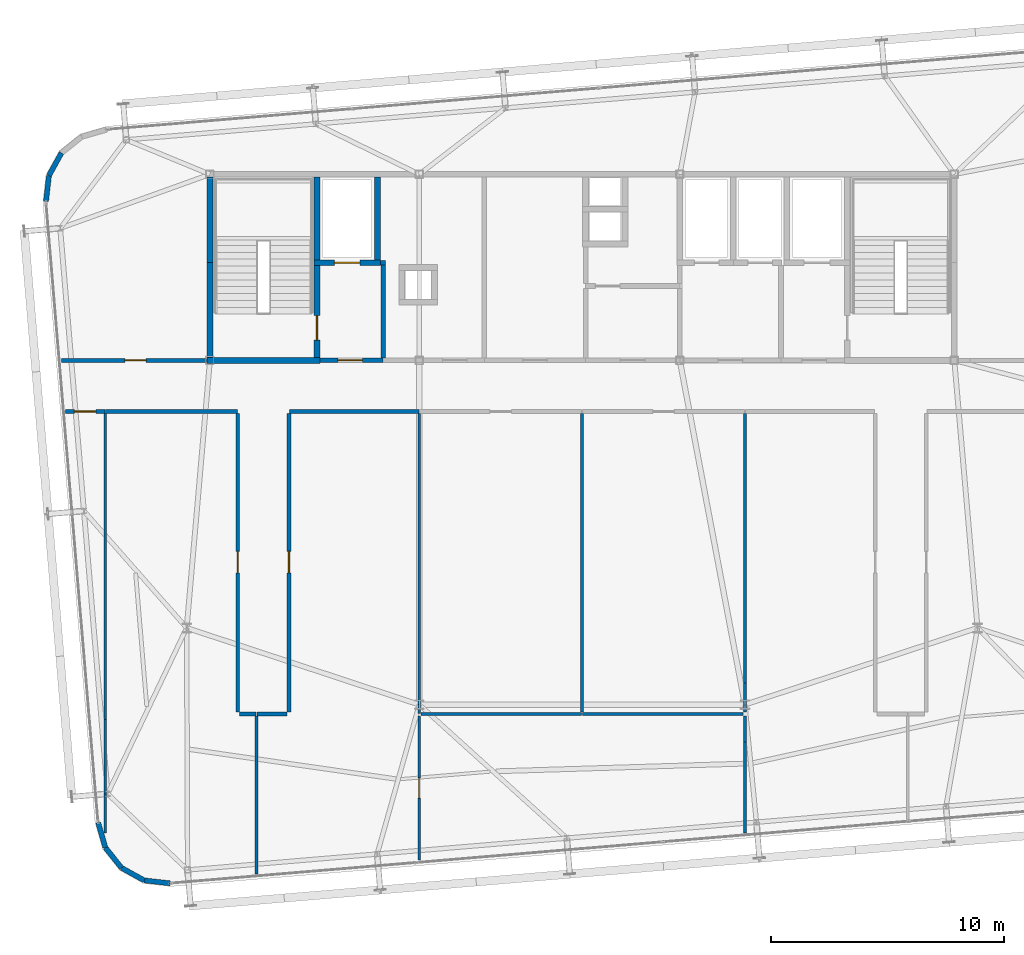
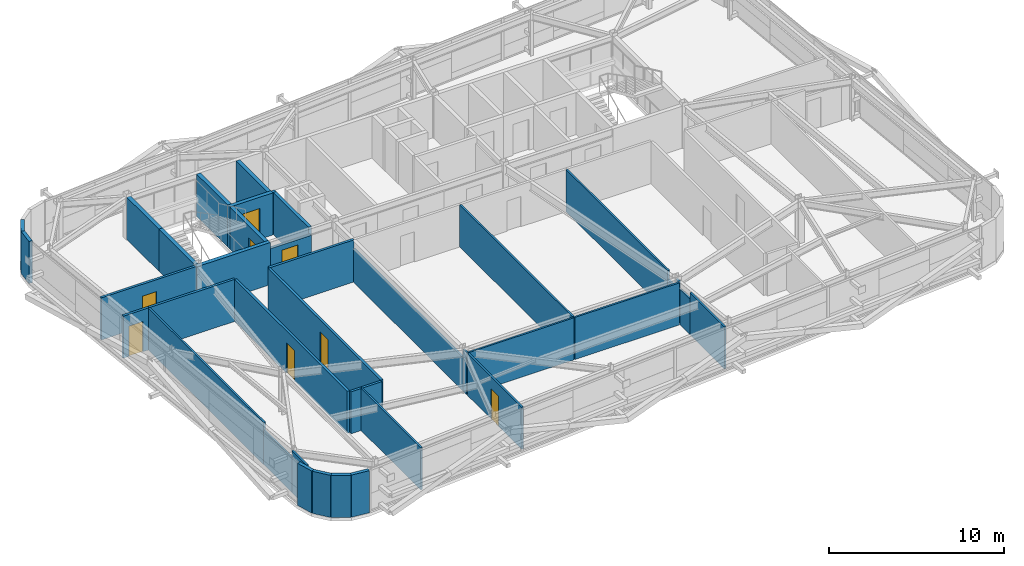
# One storey, part 33 of 37: 39 walls, 8 doors, 8 openings.
"""IFC4 building model written with IfcOpenShell, lengths in metres."""

from ifc_helpers import new_model, si_unit, direction, frame, frame_2d, origin, place, context, subcontext, project, spatial, rectangle, extrude, source, transform, mapped, material, layer, layer_set, type_object, element, fill, save


model = new_model("IFC4")

# Units and contexts
model_context = context("Model", 3, precision=1e-05, world=origin(), true_north=direction((0.0, 1.0)))
body_context = subcontext(model_context, "Body", "Model", "MODEL_VIEW")
ifc_project = project(units=[si_unit("LENGTHUNIT", "METRE"), si_unit("AREAUNIT", "SQUARE_METRE"), si_unit("VOLUMEUNIT", "CUBIC_METRE"), si_unit("PLANEANGLEUNIT", "RADIAN"), si_unit("MASSUNIT", "GRAM", prefix="KILO")], contexts=[model_context])

# Site, building, storey
site_placement = place(None, origin())
site = spatial("IfcSite", under=ifc_project, at=site_placement, CompositionType="ELEMENT")
building_placement = place(site_placement, origin())
building = spatial("IfcBuilding", under=site, at=building_placement, Name="Taldren Reach Tower", CompositionType="ELEMENT")
storey_placement = place(building_placement, frame((0.0, 0.0, 172.550048828125)))
storey = spatial("IfcBuildingStorey", under=building, at=storey_placement, Name="L52", CompositionType="ELEMENT", Elevation=172.550048828125)

# Walls
ifc_material_1 = material(Name="Pale Champagne Anodised Aluminium Cladding", Category="aluminium")
ifc_layer_1 = layer(ifc_material_1, 0.04, Name="Pale Champagne Anodised Aluminium Cladding", Category="aluminium")
ifc_material_2 = material(Name="Mineral Wool Acoustic Insulation", Category="insulation")
ifc_layer_2 = layer(ifc_material_2, 0.06, Name="Mineral Wool Acoustic Insulation", Category="insulation")
ifc_material_3 = material(Name="Steel Gr 350 (C350L0)", Category="steel")
ifc_layer_3 = layer(ifc_material_3, 0.12, Name="Steel Gr 350 (C350L0)", Category="steel")
ifc_layer_set_1 = layer_set([ifc_layer_1, ifc_layer_2, ifc_layer_3], Name="Pale Champagne Aluminium Cladding and Steel Gr 350 Stud Framing")
wall_type_1 = type_object("IfcWallType", Name="EW-CRN-220", PredefinedType="SOLIDWALL", material=ifc_layer_set_1)
shared_shape_1 = source(origin(), body_context, "Body", "SweptSolid", [
    extrude(rectangle(XDim=1.115966796875, YDim=0.219970703125, at=frame_2d((0.55810546875, 0.0))), origin(), (0.0, 0.0, 1.0), 2.929931640625),
])
for number, where, z_axis, x_axis, name in (
    (1, (12.618896484375, 32.9208984375, 0.0), (0.0, 0.0, 1.0), (-0.484100585842, -0.875012355791, 0.0), "Rounded-corner pale-metal facade wall L52-NW3"),
    (2, (12.07861328125, 31.9443359375, 0.0), (0.0, 0.0, 1.0), (-0.112232247342, -0.993682002784, 0.0), "Rounded-corner pale-metal facade wall L52-NW4"),
    (3, (14.19580078125, 4.129638671875, 0.0), (0.0, 0.0, 1.0), (0.276512002475, -0.961010464297, 0.0), "Rounded-corner pale-metal facade wall L52-SW1"),
    (4, (14.50439453125, 3.05712890625, 0.0), (0.0, 0.0, 1.0), (0.623092886403, -0.782147847222, 0.0), "Rounded-corner pale-metal facade wall L52-SW2"),
    (5, (15.19970703125, 2.184326171875, 0.0), (0.0, 0.0, 1.0), (0.875105012065, -0.483933071672, 0.0), "Rounded-corner pale-metal facade wall L52-SW3"),
    (6, (16.17626953125, 1.644287109375, 0.0), (0.0, 0.0, 1.0), (0.993657581277, -0.112448259968, 0.0), "Rounded-corner pale-metal facade wall L52-SW4"),
):
    element("IfcWall", number, at=place(storey_placement, frame(where, z_axis=z_axis, x_axis=x_axis)), inside=storey, type_object=wall_type_1, Name=name, PredefinedType="SOLIDWALL", context=body_context, shape_type="MappedRepresentation", body=[
        mapped(shared_shape_1, transform((0.0, 0.0, 0.0), scale=1.0)),
    ])
ifc_material_4 = material(Name="Fire-Rated Acoustic Plasterboard Stud Wall", Category="gypsum")
ifc_layer_4 = layer(ifc_material_4, 0.159912109375)
ifc_layer_set_2 = layer_set([ifc_layer_4], Name="Fire-Rated Acoustic Plasterboard Stud Wall")
wall_type_2 = type_object("IfcWallType", Name="IW-FIRE-160", PredefinedType="PARTITIONING", material=ifc_layer_set_2)
shared_shape_2 = source(origin(), body_context, "Body", "SweptSolid", [
    extrude(rectangle(XDim=1.2998046875, YDim=0.159912109375, at=frame_2d((0.64990234375, 0.0))), origin(), (0.0, 0.0, 1.0), 2.929931640625),
])
wall_1_placement = place(storey_placement, frame((22.320068359375, 8.800048828125, 0.0), z_axis=(0.0, 0.0, 1.0), x_axis=(-1.0, 0.0, 0.0)))
element("IfcWall", 7, at=wall_1_placement, inside=storey, type_object=wall_type_2, Name="Interior Partition Wall W-INT-L52-046", PredefinedType="PARTITIONING", context=body_context, shape_type="MappedRepresentation", body=[
    mapped(shared_shape_2, transform((0.0, 0.0, 0.0), scale=1.0)),
])
shared_shape_3 = source(origin(), body_context, "Body", "SweptSolid", [
    extrude(rectangle(XDim=0.69970703125, YDim=0.159912109375, at=frame_2d((0.349853515625, 0.0))), origin(), (0.0, 0.0, 1.0), 2.929931640625),
])
wall_2_placement = place(storey_placement, frame((20.979736328125, 8.800048828125, 0.0), z_axis=(0.0, 0.0, 1.0), x_axis=(-1.0, 0.0, 0.0)))
element("IfcWall", 8, at=wall_2_placement, inside=storey, type_object=wall_type_2, Name="Interior Partition Wall W-INT-L52-043", PredefinedType="PARTITIONING", context=body_context, shape_type="MappedRepresentation", body=[
    mapped(shared_shape_3, transform((0.0, 0.0, 0.0), scale=1.0)),
])
ifc_material_5 = material(Name="Concrete S50 (50 MPa)", Category="concrete")
ifc_layer_5 = layer(ifc_material_5, 0.199951171875)
ifc_layer_set_3 = layer_set([ifc_layer_5], Name="Concrete S50 (50 MPa)")
wall_type_3 = type_object("IfcWallType", Name="IW-CORE-200", PredefinedType="SOLIDWALL", material=ifc_layer_set_3)
shared_shape_4 = source(origin(), body_context, "Body", "SweptSolid", [
    extrude(rectangle(XDim=4.0, YDim=0.199951171875, at=frame_2d((2.0, 0.0))), origin(), (0.0, 0.0, 1.0), 2.929931640625),
])
wall_3_placement = place(storey_placement, frame((26.449951171875, 24.10009765625, 0.0), z_axis=(0.0, 0.0, 1.0), x_axis=(0.0, 1.0, 0.0)))
element("IfcWall", 9, at=wall_3_placement, inside=storey, type_object=wall_type_3, Name="Rear Core Shear Wall W-INT-L52-006", PredefinedType="SOLIDWALL", context=body_context, shape_type="MappedRepresentation", body=[
    mapped(shared_shape_4, transform((0.0, 0.0, 0.0), scale=1.0)),
])
ifc_material_6 = material(Name="Insulated Residential Stud Partition", Category="gypsum")
ifc_layer_6 = layer(ifc_material_6, 0.1201171875)
ifc_layer_set_4 = layer_set([ifc_layer_6], Name="Insulated Residential Stud Partition")
wall_type_4 = type_object("IfcWallType", Name="IW-PART-120", PredefinedType="PARTITIONING", material=ifc_layer_set_4)
shared_shape_5 = source(origin(), body_context, "Body", "SweptSolid", [
    extrude(rectangle(XDim=11.589599609375, YDim=0.1201171875, at=frame_2d((5.794921875, 0.0))), origin(), (0.0, 0.0, 1.0), 2.929931640625),
])
wall_4_placement = place(storey_placement, frame((42.0, 21.719970703125, 0.0), z_axis=(0.0, 0.0, 1.0), x_axis=(0.0, -1.0, 0.0)))
element("IfcWall", 10, at=wall_4_placement, inside=storey, type_object=wall_type_4, Name="Interior Partition Wall W-INT-L52-065", PredefinedType="PARTITIONING", context=body_context, shape_type="MappedRepresentation", body=[
    mapped(shared_shape_5, transform((0.0, 0.0, 0.0), scale=1.0)),
])
shared_shape_6 = source(origin(), body_context, "Body", "SweptSolid", [
    extrude(rectangle(XDim=0.941650390625, YDim=0.1201171875, at=frame_2d((0.470703125, 0.0))), origin(), (0.0, 0.0, 1.0), 2.327880859375),
])
wall_5_placement = place(storey_placement, frame((42.0, 10.13037109375, 0.0), z_axis=(0.0, 0.0, 1.0), x_axis=(0.0, -1.0, 0.0)))
element("IfcWall", 11, at=wall_5_placement, inside=storey, type_object=wall_type_4, Name="Interior Partition Wall W-INT-L52-065 part 2", PredefinedType="PARTITIONING", context=body_context, shape_type="MappedRepresentation", body=[
    mapped(shared_shape_6, transform((0.0, 0.0, 0.0), scale=1.0)),
])
shared_shape_7 = source(origin(), body_context, "Body", "SweptSolid", [
    extrude(rectangle(XDim=12.52001953125, YDim=0.1201171875, at=frame_2d((6.260009765625, 0.0))), origin(), (0.0, 0.0, 1.0), 2.327880859375),
])
wall_6_placement = place(storey_placement, frame((28.0, 21.719970703125, 0.0), z_axis=(0.0, 0.0, 1.0), x_axis=(0.0, -1.0, 0.0)))
element("IfcWall", 12, at=wall_6_placement, inside=storey, type_object=wall_type_4, Name="Interior Partition Wall W-INT-L52-063", PredefinedType="PARTITIONING", context=body_context, shape_type="MappedRepresentation", body=[
    mapped(shared_shape_7, transform((0.0, 0.0, 0.0), scale=1.0)),
])
ifc_material_7 = material(Name="Concrete S65 (65 MPa)", Category="concrete")
ifc_layer_7 = layer(ifc_material_7, 0.25)
ifc_layer_set_5 = layer_set([ifc_layer_7], Name="Concrete S65 (65 MPa)")
wall_type_5 = type_object("IfcWallType", Name="IW-CORE-250", PredefinedType="SHEAR", material=ifc_layer_set_5)
shared_shape_8 = source(origin(), body_context, "Body", "SweptSolid", [
    extrude(rectangle(XDim=4.074951171875, YDim=0.25, at=frame_2d((2.03759765625, 0.0))), origin(), (0.0, 0.0, 1.0), 2.929931640625),
])
wall_7_placement = place(storey_placement, frame((19.0, 24.125, 0.0), z_axis=(0.0, 0.0, 1.0), x_axis=(0.0, 1.0, 0.0)))
element("IfcWall", 13, at=wall_7_placement, inside=storey, type_object=wall_type_5, Name="Rear Core Shear Wall W-CORE-L52-WEST1", PredefinedType="SHEAR", context=body_context, shape_type="MappedRepresentation", body=[
    mapped(shared_shape_8, transform((0.0, 0.0, 0.0), scale=1.0)),
])
shared_shape_9 = source(origin(), body_context, "Body", "SweptSolid", [
    extrude(rectangle(XDim=3.675048828125, YDim=0.25, at=frame_2d((1.83740234375, 0.0))), origin(), (0.0, 0.0, 1.0), 2.929931640625),
])
wall_8_placement = place(storey_placement, frame((19.0, 28.199951171875, 0.0), z_axis=(0.0, 0.0, 1.0), x_axis=(0.0, 1.0, 0.0)))
element("IfcWall", 14, at=wall_8_placement, inside=storey, type_object=wall_type_5, Name="Rear Core Shear Wall W-CORE-L52-WEST2", PredefinedType="SHEAR", context=body_context, shape_type="MappedRepresentation", body=[
    mapped(shared_shape_9, transform((0.0, 0.0, 0.0), scale=1.0)),
])
shared_shape_10 = source(origin(), body_context, "Body", "SweptSolid", [
    extrude(rectangle(XDim=3.550048828125, YDim=0.25, at=frame_2d((1.77490234375, 0.0))), origin(), (0.0, 0.0, 1.0), 2.929931640625),
])
for number, where, z_axis, x_axis, name in (
    (15, (23.60009765625, 28.324951171875, 0.0), (0.0, 0.0, 1.0), (0.0, 1.0, 0.0), "Rear Core Shear Wall W-INT-L52-001"),
    (16, (26.199951171875, 28.324951171875, 0.0), (0.0, 0.0, 1.0), (0.0, 1.0, 0.0), "Rear Core Shear Wall W-INT-L52-005"),
):
    element("IfcWall", number, at=place(storey_placement, frame(where, z_axis=z_axis, x_axis=x_axis)), inside=storey, type_object=wall_type_5, Name=name, PredefinedType="SHEAR", context=body_context, shape_type="MappedRepresentation", body=[
        mapped(shared_shape_10, transform((0.0, 0.0, 0.0), scale=1.0)),
    ])

# Wall, opening, door
shared_shape_11 = source(origin(), body_context, "Body", "SweptSolid", [
    extrude(rectangle(XDim=3.949951171875, YDim=0.25, at=frame_2d((1.97509765625, 0.0))), origin(), (0.0, 0.0, 1.0), 2.929931640625),
])
wall_9_placement = place(storey_placement, frame((23.60009765625, 24.125, 0.0), z_axis=(0.0, 0.0, 1.0), x_axis=(0.0, 1.0, 0.0)))
wall_9 = element("IfcWall", 17, at=wall_9_placement, inside=storey, type_object=wall_type_5, Name="Rear Core Shear Wall W-INT-L52-002", PredefinedType="SHEAR", context=body_context, shape_type="MappedRepresentation", body=[
    mapped(shared_shape_11, transform((0.0, 0.0, 0.0), scale=1.0)),
])
shared_shape_12 = source(origin(), body_context, "Body", "SweptSolid", [
    extrude(rectangle(XDim=1.050048828125, YDim=2.10009765625, at=frame_2d((0.52490234375, 1.050048828125))), frame((0.0, 0.135009765625, 0.0), z_axis=(0.0, -1.0, 0.0), x_axis=(1.0, 0.0, 0.0)), (0.0, 0.0, 1.0), 0.27001953125),
])
opening_1_placement = place(wall_9_placement, frame((0.75, 0.0, 0.0)))
opening_1 = element("IfcOpeningElement", 18, at=opening_1_placement, cuts=wall_9, Name="Opening DF-105", PredefinedType="OPENING", context=body_context, shape_type="MappedRepresentation", body=[
    mapped(shared_shape_12, transform((0.0, 0.0, 0.0), scale=1.0)),
])
ifc_material_8 = material(Name="Fire-Rated Care and Stair Exit Door")
door_type_1 = type_object("IfcDoorType", Name="ID-FIRE-105", OperationType="NOTDEFINED", PredefinedType="DOOR", material=ifc_material_8)
shared_shape_13 = source(origin(), body_context, "Body", "SweptSolid", [
    extrude(rectangle(XDim=1.050048828125, YDim=2.10009765625, at=frame_2d((0.52490234375, 1.050048828125))), frame((0.0, 0.02490234375, 0.0), z_axis=(0.0, -1.0, 0.0), x_axis=(1.0, 0.0, 0.0)), (0.0, 0.0, 1.0), 0.050048828125),
])
door_1_placement = place(opening_1_placement, origin())
door_1 = element("IfcDoor", 19, at=door_1_placement, inside=storey, type_object=door_type_1, Name="Fire Exit Stair Door DR-L52-001", OperationType="SINGLE_SWING_LEFT", OverallHeight=2.10009765625, OverallWidth=1.050048828125, PredefinedType="DOOR", context=body_context, shape_type="MappedRepresentation", body=[
    mapped(shared_shape_13, transform((0.0, 0.0, 0.0), scale=1.0)),
])
fill(opening_1, door_1)

# Wall
shared_shape_14 = source(origin(), body_context, "Body", "SweptSolid", [
    extrude(rectangle(XDim=4.85009765625, YDim=0.25, at=frame_2d((2.425048828125, 0.0))), origin(), (0.0, 0.0, 1.0), 2.929931640625),
])
wall_10_placement = place(storey_placement, frame((18.875, 24.0, 0.0), z_axis=(0.0, 0.0, 1.0), x_axis=(1.0, 0.0, 0.0)))
element("IfcWall", 20, at=wall_10_placement, inside=storey, type_object=wall_type_5, Name="Rear Core Shear Wall W-INT-L52-003", PredefinedType="SHEAR", context=body_context, shape_type="MappedRepresentation", body=[
    mapped(shared_shape_14, transform((0.0, 0.0, 0.0), scale=1.0)),
])

# Wall, opening, door
shared_shape_15 = source(origin(), body_context, "Body", "SweptSolid", [
    extrude(rectangle(XDim=2.849853515625, YDim=0.25, at=frame_2d((1.4248046875, 0.0))), origin(), (0.0, 0.0, 1.0), 2.929931640625),
])
wall_11_placement = place(storey_placement, frame((23.47509765625, 28.199951171875, 0.0), z_axis=(0.0, 0.0, 1.0), x_axis=(1.0, 0.0, 0.0)))
wall_11 = element("IfcWall", 21, at=wall_11_placement, inside=storey, type_object=wall_type_5, Name="Rear Core Shear Wall W-INT-L52-004", PredefinedType="SHEAR", context=body_context, shape_type="MappedRepresentation", body=[
    mapped(shared_shape_15, transform((0.0, 0.0, 0.0), scale=1.0)),
])
shared_shape_16 = source(origin(), body_context, "Body", "SweptSolid", [
    extrude(rectangle(XDim=1.10009765625, YDim=2.14990234375, at=frame_2d((0.550048828125, 1.074951171875))), frame((0.0, 0.135009765625, 0.0), z_axis=(0.0, -1.0, 0.0), x_axis=(1.0, 0.0, 0.0)), (0.0, 0.0, 1.0), 0.27001953125),
])
opening_2_placement = place(wall_11_placement, frame((0.875, 0.0, 0.0)))
opening_2 = element("IfcOpeningElement", 22, at=opening_2_placement, cuts=wall_11, Name="Opening LD-FL1", PredefinedType="OPENING", context=body_context, shape_type="MappedRepresentation", body=[
    mapped(shared_shape_16, transform((0.0, 0.0, 0.0), scale=1.0)),
])
ifc_material_9 = material(Name="Stainless Steel Gr 316 Emergency Lift Landing Door", Category="steel")
door_type_2 = type_object("IfcDoorType", Name="LD-EMG-110", OperationType="SLIDING_TO_LEFT", PredefinedType="DOOR", material=ifc_material_9)
shared_shape_17 = source(origin(), body_context, "Body", "SweptSolid", [
    extrude(rectangle(XDim=1.10009765625, YDim=2.14990234375, at=frame_2d((0.550048828125, 1.074951171875))), frame((0.0, 0.02490234375, 0.0), z_axis=(0.0, -1.0, 0.0), x_axis=(1.0, 0.0, 0.0)), (0.0, 0.0, 1.0), 0.050048828125),
])
door_2_placement = place(opening_2_placement, origin())
door_2 = element("IfcDoor", 23, at=door_2_placement, inside=storey, type_object=door_type_2, Name="Lift Landing Door LD-FL1-L52", OperationType="SLIDING_TO_LEFT", OverallHeight=2.14990234375, OverallWidth=1.10009765625, PredefinedType="DOOR", context=body_context, shape_type="MappedRepresentation", body=[
    mapped(shared_shape_17, transform((0.0, 0.0, 0.0), scale=1.0)),
])
fill(opening_2, door_2)

shared_shape_18 = source(origin(), body_context, "Body", "SweptSolid", [
    extrude(rectangle(XDim=2.724853515625, YDim=0.199951171875, at=frame_2d((1.3623046875, 0.0))), origin(), (0.0, 0.0, 1.0), 2.469970703125),
])
wall_12_placement = place(storey_placement, frame((23.72509765625, 24.0, 0.0), z_axis=(0.0, 0.0, 1.0), x_axis=(1.0, 0.0, 0.0)))
wall_12 = element("IfcWall", 24, at=wall_12_placement, inside=storey, type_object=wall_type_3, Name="Rear Core Shear Wall W-INT-L52-007", PredefinedType="SOLIDWALL", context=body_context, shape_type="MappedRepresentation", body=[
    mapped(shared_shape_18, transform((0.0, 0.0, 0.0), scale=1.0)),
])
shared_shape_19 = source(origin(), body_context, "Body", "SweptSolid", [
    extrude(rectangle(XDim=1.050048828125, YDim=2.10009765625, at=frame_2d((0.52490234375, 1.050048828125))), frame((0.0, 0.10986328125, 0.0), z_axis=(0.0, -1.0, 0.0), x_axis=(1.0, 0.0, 0.0)), (0.0, 0.0, 1.0), 0.219970703125),
])
opening_3_placement = place(wall_12_placement, frame((0.77490234375, 0.0, 0.0)))
opening_3 = element("IfcOpeningElement", 25, at=opening_3_placement, cuts=wall_12, Name="Opening DF-105", PredefinedType="OPENING", context=body_context, shape_type="MappedRepresentation", body=[
    mapped(shared_shape_19, transform((0.0, 0.0, 0.0), scale=1.0)),
])
door_3_placement = place(opening_3_placement, origin())
door_3 = element("IfcDoor", 26, at=door_3_placement, inside=storey, type_object=door_type_1, Name="Interior Door DR-L52-002", OperationType="SINGLE_SWING_LEFT", OverallHeight=2.10009765625, OverallWidth=1.050048828125, PredefinedType="DOOR", context=body_context, shape_type="MappedRepresentation", body=[
    mapped(shared_shape_13, transform((0.0, 0.0, 0.0), scale=1.0)),
])
fill(opening_3, door_3)

shared_shape_20 = source(origin(), body_context, "Body", "SweptSolid", [
    extrude(rectangle(XDim=6.250732421875, YDim=0.159912109375, at=frame_2d((3.12548828125, 0.0))), origin(), (0.0, 0.0, 1.0), 2.929931640625),
])
wall_13_placement = place(storey_placement, frame((12.624267578125, 24.0, 0.0), z_axis=(0.0, 0.0, 1.0), x_axis=(1.0, 0.0, 0.0)))
wall_13 = element("IfcWall", 27, at=wall_13_placement, inside=storey, type_object=wall_type_2, Name="Interior Partition Wall W-INT-L52-039", PredefinedType="PARTITIONING", context=body_context, shape_type="MappedRepresentation", body=[
    mapped(shared_shape_20, transform((0.0, 0.0, 0.0), scale=1.0)),
])
shared_shape_21 = source(origin(), body_context, "Body", "SweptSolid", [
    extrude(rectangle(XDim=0.919921875, YDim=2.10009765625, at=frame_2d((0.4599609375, 1.050048828125))), frame((0.0, 0.08984375, 0.0), z_axis=(0.0, -1.0, 0.0), x_axis=(1.0, 0.0, 0.0)), (0.0, 0.0, 1.0), 0.179931640625),
])
opening_4_placement = place(wall_13_placement, frame((2.7177734375, 0.0, 0.0)))
opening_4 = element("IfcOpeningElement", 28, at=opening_4_placement, cuts=wall_13, Name="Opening DI-092", PredefinedType="OPENING", context=body_context, shape_type="MappedRepresentation", body=[
    mapped(shared_shape_21, transform((0.0, 0.0, 0.0), scale=1.0)),
])
ifc_material_10 = material(Name="Solid-Core Timber Suite Door", Category="wood")
door_type_3 = type_object("IfcDoorType", Name="ID-INT-092", OperationType="NOTDEFINED", PredefinedType="DOOR", material=ifc_material_10)
shared_shape_22 = source(origin(), body_context, "Body", "SweptSolid", [
    extrude(rectangle(XDim=0.919921875, YDim=2.10009765625, at=frame_2d((0.4599609375, 1.050048828125))), frame((0.0, 0.02490234375, 0.0), z_axis=(0.0, -1.0, 0.0), x_axis=(1.0, 0.0, 0.0)), (0.0, 0.0, 1.0), 0.050048828125),
])
door_4_placement = place(opening_4_placement, origin())
door_4 = element("IfcDoor", 29, at=door_4_placement, inside=storey, type_object=door_type_3, Name="Interior Door DR-L52-010", OperationType="SINGLE_SWING_LEFT", OverallHeight=2.10009765625, OverallWidth=0.919921875, PredefinedType="DOOR", context=body_context, shape_type="MappedRepresentation", body=[
    mapped(shared_shape_22, transform((0.0, 0.0, 0.0), scale=1.0)),
])
fill(opening_4, door_4)

shared_shape_23 = source(origin(), body_context, "Body", "SweptSolid", [
    extrude(rectangle(XDim=1.68408203125, YDim=0.159912109375, at=frame_2d((0.842041015625, 0.0))), origin(), (0.0, 0.0, 1.0), 2.929931640625),
])
wall_14_placement = place(storey_placement, frame((14.479736328125, 21.800048828125, 0.0), z_axis=(0.0, 0.0, 1.0), x_axis=(-1.0, 0.0, 0.0)))
wall_14 = element("IfcWall", 30, at=wall_14_placement, inside=storey, type_object=wall_type_2, Name="Interior Partition Wall W-INT-L52-040", PredefinedType="PARTITIONING", context=body_context, shape_type="MappedRepresentation", body=[
    mapped(shared_shape_23, transform((0.0, 0.0, 0.0), scale=1.0)),
])
opening_5_placement = place(wall_14_placement, frame((0.382080078125, 0.0, 0.0)))
opening_5 = element("IfcOpeningElement", 31, at=opening_5_placement, cuts=wall_14, Name="Opening DI-092", PredefinedType="OPENING", context=body_context, shape_type="MappedRepresentation", body=[
    mapped(shared_shape_21, transform((0.0, 0.0, 0.0), scale=1.0)),
])
door_5_placement = place(opening_5_placement, origin())
door_5 = element("IfcDoor", 32, at=door_5_placement, inside=storey, type_object=door_type_3, Name="Interior Door DR-L52-011", OperationType="SINGLE_SWING_RIGHT", OverallHeight=2.10009765625, OverallWidth=0.919921875, PredefinedType="DOOR", context=body_context, shape_type="MappedRepresentation", body=[
    mapped(shared_shape_22, transform((0.0, 0.0, 0.0), scale=1.0)),
])
fill(opening_5, door_5)

shared_shape_24 = source(origin(), body_context, "Body", "SweptSolid", [
    extrude(rectangle(XDim=12.840087890625, YDim=0.159912109375, at=frame_2d((6.419921875, 0.0))), origin(), (0.0, 0.0, 1.0), 2.929931640625),
])
wall_15_placement = place(storey_placement, frame((20.199951171875, 8.8798828125, 0.0), z_axis=(0.0, 0.0, 1.0), x_axis=(0.0, 1.0, 0.0)))
wall_15 = element("IfcWall", 33, at=wall_15_placement, inside=storey, type_object=wall_type_2, Name="Interior Partition Wall W-INT-L52-041", PredefinedType="PARTITIONING", context=body_context, shape_type="MappedRepresentation", body=[
    mapped(shared_shape_24, transform((0.0, 0.0, 0.0), scale=1.0)),
])
opening_6_placement = place(wall_15_placement, frame((5.989990234375, 0.0, 0.0)))
opening_6 = element("IfcOpeningElement", 34, at=opening_6_placement, cuts=wall_15, Name="Opening DI-092", PredefinedType="OPENING", context=body_context, shape_type="MappedRepresentation", body=[
    mapped(shared_shape_21, transform((0.0, 0.0, 0.0), scale=1.0)),
])
door_6_placement = place(opening_6_placement, origin())
door_6 = element("IfcDoor", 35, at=door_6_placement, inside=storey, type_object=door_type_3, Name="Interior Door DR-L52-012", OperationType="SINGLE_SWING_LEFT", OverallHeight=2.10009765625, OverallWidth=0.919921875, PredefinedType="DOOR", context=body_context, shape_type="MappedRepresentation", body=[
    mapped(shared_shape_22, transform((0.0, 0.0, 0.0), scale=1.0)),
])
fill(opening_6, door_6)

wall_16_placement = place(storey_placement, frame((22.39990234375, 21.719970703125, 0.0), z_axis=(0.0, 0.0, 1.0), x_axis=(0.0, -1.0, 0.0)))
wall_16 = element("IfcWall", 36, at=wall_16_placement, inside=storey, type_object=wall_type_2, Name="Interior Partition Wall W-INT-L52-044", PredefinedType="PARTITIONING", context=body_context, shape_type="MappedRepresentation", body=[
    mapped(shared_shape_24, transform((0.0, 0.0, 0.0), scale=1.0)),
])
opening_7_placement = place(wall_16_placement, frame((5.93017578125, 0.0, 0.0)))
opening_7 = element("IfcOpeningElement", 37, at=opening_7_placement, cuts=wall_16, Name="Opening DI-092", PredefinedType="OPENING", context=body_context, shape_type="MappedRepresentation", body=[
    mapped(shared_shape_21, transform((0.0, 0.0, 0.0), scale=1.0)),
])
door_7_placement = place(opening_7_placement, origin())
door_7 = element("IfcDoor", 38, at=door_7_placement, inside=storey, type_object=door_type_3, Name="Interior Door DR-L52-013", OperationType="SINGLE_SWING_RIGHT", OverallHeight=2.10009765625, OverallWidth=0.919921875, PredefinedType="DOOR", context=body_context, shape_type="MappedRepresentation", body=[
    mapped(shared_shape_22, transform((0.0, 0.0, 0.0), scale=1.0)),
])
fill(opening_7, door_7)

# Walls
shared_shape_25 = source(origin(), body_context, "Body", "SweptSolid", [
    extrude(rectangle(XDim=5.659423828125, YDim=0.159912109375, at=frame_2d((2.82958984375, 0.0))), origin(), (0.0, 0.0, 1.0), 2.929931640625),
])
wall_17_placement = place(storey_placement, frame((20.1796875, 21.800048828125, 0.0), z_axis=(0.0, 0.0, 1.0), x_axis=(-1.0, 0.0, 0.0)))
element("IfcWall", 39, at=wall_17_placement, inside=storey, type_object=wall_type_2, Name="Interior Partition Wall W-INT-L52-042", PredefinedType="PARTITIONING", context=body_context, shape_type="MappedRepresentation", body=[
    mapped(shared_shape_25, transform((0.0, 0.0, 0.0), scale=1.0)),
])
shared_shape_26 = source(origin(), body_context, "Body", "SweptSolid", [
    extrude(rectangle(XDim=5.5595703125, YDim=0.159912109375, at=frame_2d((2.77978515625, 0.0))), origin(), (0.0, 0.0, 1.0), 2.929931640625),
])
wall_18_placement = place(storey_placement, frame((27.979736328125, 21.800048828125, 0.0), z_axis=(0.0, 0.0, 1.0), x_axis=(-1.0, 0.0, 0.0)))
element("IfcWall", 40, at=wall_18_placement, inside=storey, type_object=wall_type_2, Name="Interior Partition Wall W-INT-L52-045", PredefinedType="PARTITIONING", context=body_context, shape_type="MappedRepresentation", body=[
    mapped(shared_shape_26, transform((0.0, 0.0, 0.0), scale=1.0)),
])

# Wall, opening, door
shared_shape_27 = source(origin(), body_context, "Body", "SweptSolid", [
    extrude(rectangle(XDim=6.204345703125, YDim=0.1201171875, at=frame_2d((3.10205078125, 0.0))), origin(), (0.0, 0.0, 1.0), 2.929931640625),
])
wall_19_placement = place(storey_placement, frame((28.0, 2.515625, 0.0), z_axis=(0.0, 0.0, 1.0), x_axis=(0.0, 1.0, 0.0)))
wall_19 = element("IfcWall", 41, at=wall_19_placement, inside=storey, type_object=wall_type_4, Name="Interior Partition Wall W-INT-L52-057", PredefinedType="PARTITIONING", context=body_context, shape_type="MappedRepresentation", body=[
    mapped(shared_shape_27, transform((0.0, 0.0, 0.0), scale=1.0)),
])
shared_shape_28 = source(origin(), body_context, "Body", "SweptSolid", [
    extrude(rectangle(XDim=0.860107421875, YDim=2.10009765625, at=frame_2d((0.43017578125, 1.050048828125))), frame((0.0, 0.070068359375, 0.0), z_axis=(0.0, -1.0, 0.0), x_axis=(1.0, 0.0, 0.0)), (0.0, 0.0, 1.0), 0.14013671875),
])
opening_8_placement = place(wall_19_placement, frame((2.672119140625, 0.0, 0.0)))
opening_8 = element("IfcOpeningElement", 42, at=opening_8_placement, cuts=wall_19, Name="Opening DI-086", PredefinedType="OPENING", context=body_context, shape_type="MappedRepresentation", body=[
    mapped(shared_shape_28, transform((0.0, 0.0, 0.0), scale=1.0)),
])
ifc_material_11 = material(Name="Timber Bathroom Door", Category="wood")
door_type_4 = type_object("IfcDoorType", Name="ID-INT-086", OperationType="NOTDEFINED", PredefinedType="DOOR", material=ifc_material_11)
shared_shape_29 = source(origin(), body_context, "Body", "SweptSolid", [
    extrude(rectangle(XDim=0.860107421875, YDim=2.10009765625, at=frame_2d((0.43017578125, 1.050048828125))), frame((0.0, 0.02490234375, 0.0), z_axis=(0.0, -1.0, 0.0), x_axis=(1.0, 0.0, 0.0)), (0.0, 0.0, 1.0), 0.050048828125),
])
door_8_placement = place(opening_8_placement, frame((0.860107421875, 0.0, 0.0), z_axis=(0.0, 0.0, 1.0), x_axis=(-1.0, 0.0, 0.0)))
door_8 = element("IfcDoor", 43, at=door_8_placement, inside=storey, type_object=door_type_4, Name="Interior Door DR-L52-020", OperationType="SINGLE_SWING_RIGHT", OverallHeight=2.10009765625, OverallWidth=0.860107421875, PredefinedType="DOOR", context=body_context, shape_type="MappedRepresentation", body=[
    mapped(shared_shape_29, transform((0.0, 0.0, 0.0), scale=1.0)),
])
fill(opening_8, door_8)

# Walls
shared_shape_30 = source(origin(), body_context, "Body", "SweptSolid", [
    extrude(rectangle(XDim=6.899658203125, YDim=0.1201171875, at=frame_2d((3.44970703125, 0.0))), origin(), (0.0, 0.0, 1.0), 2.929931640625),
])
for number, where, z_axis, x_axis, name in (
    (44, (28.080078125, 8.800048828125, 0.0), (0.0, 0.0, 1.0), (1.0, 0.0, 0.0), "Interior Partition Wall W-INT-L52-058"),
    (45, (35.020263671875, 8.800048828125, 0.0), (0.0, 0.0, 1.0), (1.0, 0.0, 0.0), "Interior Partition Wall W-INT-L52-059"),
):
    element("IfcWall", number, at=place(storey_placement, frame(where, z_axis=z_axis, x_axis=x_axis)), inside=storey, type_object=wall_type_4, Name=name, PredefinedType="PARTITIONING", context=body_context, shape_type="MappedRepresentation", body=[
        mapped(shared_shape_30, transform((0.0, 0.0, 0.0), scale=1.0)),
    ])
shared_shape_31 = source(origin(), body_context, "Body", "SweptSolid", [
    extrude(rectangle(XDim=1.116455078125, YDim=0.1201171875, at=frame_2d((0.55810546875, 0.0))), origin(), (0.0, 0.0, 1.0), 2.469970703125),
])
wall_20_placement = place(storey_placement, frame((42.0, 8.719970703125, 0.0), z_axis=(0.0, 0.0, 1.0), x_axis=(0.0, -1.0, 0.0)))
element("IfcWall", 46, at=wall_20_placement, inside=storey, type_object=wall_type_4, Name="Interior Partition Wall W-INT-L52-060", PredefinedType="PARTITIONING", context=body_context, shape_type="MappedRepresentation", body=[
    mapped(shared_shape_31, transform((0.0, 0.0, 0.0), scale=1.0)),
])
shared_shape_32 = source(origin(), body_context, "Body", "SweptSolid", [
    extrude(rectangle(XDim=3.92578125, YDim=0.1201171875, at=frame_2d((1.962890625, 0.0))), origin(), (0.0, 0.0, 1.0), 2.929931640625),
])
wall_21_placement = place(storey_placement, frame((42.0, 7.603515625, 0.0), z_axis=(0.0, 0.0, 1.0), x_axis=(0.0, -1.0, 0.0)))
element("IfcWall", 47, at=wall_21_placement, inside=storey, type_object=wall_type_4, Name="Interior Partition Wall W-INT-L52-060 part 2", PredefinedType="PARTITIONING", context=body_context, shape_type="MappedRepresentation", body=[
    mapped(shared_shape_32, transform((0.0, 0.0, 0.0), scale=1.0)),
])
shared_shape_33 = source(origin(), body_context, "Body", "SweptSolid", [
    extrude(rectangle(XDim=13.154541015625, YDim=0.1201171875, at=frame_2d((6.5771484375, 0.0))), origin(), (0.0, 0.0, 1.0), 2.929931640625),
])
wall_22_placement = place(storey_placement, frame((14.5, 21.719970703125, 0.0), z_axis=(0.0, 0.0, 1.0), x_axis=(0.0, -1.0, 0.0)))
element("IfcWall", 48, at=wall_22_placement, inside=storey, type_object=wall_type_4, Name="Interior Partition Wall W-INT-L52-061", PredefinedType="PARTITIONING", context=body_context, shape_type="MappedRepresentation", body=[
    mapped(shared_shape_33, transform((0.0, 0.0, 0.0), scale=1.0)),
])
shared_shape_34 = source(origin(), body_context, "Body", "SweptSolid", [
    extrude(rectangle(XDim=3.206298828125, YDim=0.1201171875, at=frame_2d((1.60302734375, 0.0))), origin(), (0.0, 0.0, 1.0), 2.40185546875),
])
wall_23_placement = place(storey_placement, frame((14.5, 8.5654296875, 0.0), z_axis=(0.0, 0.0, 1.0), x_axis=(0.0, -1.0, 0.0)))
element("IfcWall", 49, at=wall_23_placement, inside=storey, type_object=wall_type_4, Name="Interior Partition Wall W-INT-L52-061 part 2", PredefinedType="PARTITIONING", context=body_context, shape_type="MappedRepresentation", body=[
    mapped(shared_shape_34, transform((0.0, 0.0, 0.0), scale=1.0)),
])
shared_shape_35 = source(origin(), body_context, "Body", "SweptSolid", [
    extrude(rectangle(XDim=1.673583984375, YDim=0.1201171875, at=frame_2d((0.8369140625, 0.0))), origin(), (0.0, 0.0, 1.0), 2.929931640625),
])
wall_24_placement = place(storey_placement, frame((14.5, 5.359130859375, 0.0), z_axis=(0.0, 0.0, 1.0), x_axis=(0.0, -1.0, 0.0)))
element("IfcWall", 50, at=wall_24_placement, inside=storey, type_object=wall_type_4, Name="Interior Partition Wall W-INT-L52-061 part 3", PredefinedType="PARTITIONING", context=body_context, shape_type="MappedRepresentation", body=[
    mapped(shared_shape_35, transform((0.0, 0.0, 0.0), scale=1.0)),
])
shared_shape_36 = source(origin(), body_context, "Body", "SweptSolid", [
    extrude(rectangle(XDim=6.8056640625, YDim=0.1201171875, at=frame_2d((3.40283203125, 0.0))), origin(), (0.0, 0.0, 1.0), 2.929931640625),
])
wall_25_placement = place(storey_placement, frame((21.0, 8.719970703125, 0.0), z_axis=(0.0, 0.0, 1.0), x_axis=(0.0, -1.0, 0.0)))
element("IfcWall", 51, at=wall_25_placement, inside=storey, type_object=wall_type_4, Name="Interior Partition Wall W-INT-L52-062", PredefinedType="PARTITIONING", context=body_context, shape_type="MappedRepresentation", body=[
    mapped(shared_shape_36, transform((0.0, 0.0, 0.0), scale=1.0)),
])
shared_shape_37 = source(origin(), body_context, "Body", "SweptSolid", [
    extrude(rectangle(XDim=0.379638671875, YDim=0.1201171875, at=frame_2d((0.18994140625, 0.0))), origin(), (0.0, 0.0, 1.0), 2.929931640625),
])
wall_26_placement = place(storey_placement, frame((28.0, 9.199951171875, 0.0), z_axis=(0.0, 0.0, 1.0), x_axis=(0.0, -1.0, 0.0)))
element("IfcWall", 52, at=wall_26_placement, inside=storey, type_object=wall_type_4, Name="Interior Partition Wall W-INT-L52-063 part 2", PredefinedType="PARTITIONING", context=body_context, shape_type="MappedRepresentation", body=[
    mapped(shared_shape_37, transform((0.0, 0.0, 0.0), scale=1.0)),
])
shared_shape_38 = source(origin(), body_context, "Body", "SweptSolid", [
    extrude(rectangle(XDim=12.840087890625, YDim=0.1201171875, at=frame_2d((6.419921875, 0.0))), origin(), (0.0, 0.0, 1.0), 2.929931640625),
])
wall_27_placement = place(storey_placement, frame((35.0, 21.719970703125, 0.0), z_axis=(0.0, 0.0, 1.0), x_axis=(0.0, -1.0, 0.0)))
element("IfcWall", 53, at=wall_27_placement, inside=storey, type_object=wall_type_4, Name="Interior Partition Wall W-INT-L52-064", PredefinedType="PARTITIONING", context=body_context, shape_type="MappedRepresentation", body=[
    mapped(shared_shape_38, transform((0.0, 0.0, 0.0), scale=1.0)),
])
shared_shape_39 = source(origin(), body_context, "Body", "SweptSolid", [
    extrude(rectangle(XDim=0.308837890625, YDim=0.1201171875, at=frame_2d((0.154296875, 0.0))), origin(), (0.0, 0.0, 1.0), 2.929931640625),
])
wall_28_placement = place(storey_placement, frame((42.0, 9.188720703125, 0.0), z_axis=(0.0, 0.0, 1.0), x_axis=(0.0, -1.0, 0.0)))
element("IfcWall", 54, at=wall_28_placement, inside=storey, type_object=wall_type_4, Name="Interior Partition Wall W-INT-L52-065 part 3", PredefinedType="PARTITIONING", context=body_context, shape_type="MappedRepresentation", body=[
    mapped(shared_shape_39, transform((0.0, 0.0, 0.0), scale=1.0)),
])
shared_shape_40 = source(origin(), body_context, "Body", "SweptSolid", [
    extrude(rectangle(XDim=0.22509765625, YDim=0.199951171875, at=frame_2d((0.112548828125, 0.0))), origin(), (0.0, 0.0, 1.0), 2.929931640625),
])
wall_29_placement = place(storey_placement, frame((26.324951171875, 28.199951171875, 0.0), z_axis=(0.0, 0.0, 1.0), x_axis=(1.0, 0.0, 0.0)))
element("IfcWall", 55, at=wall_29_placement, inside=storey, type_object=wall_type_3, Name="Rear Core Partition Wall W-INT-L52-068", PredefinedType="SOLIDWALL", context=body_context, shape_type="MappedRepresentation", body=[
    mapped(shared_shape_40, transform((0.0, 0.0, 0.0), scale=1.0)),
])

save(model, "model.ifc")
